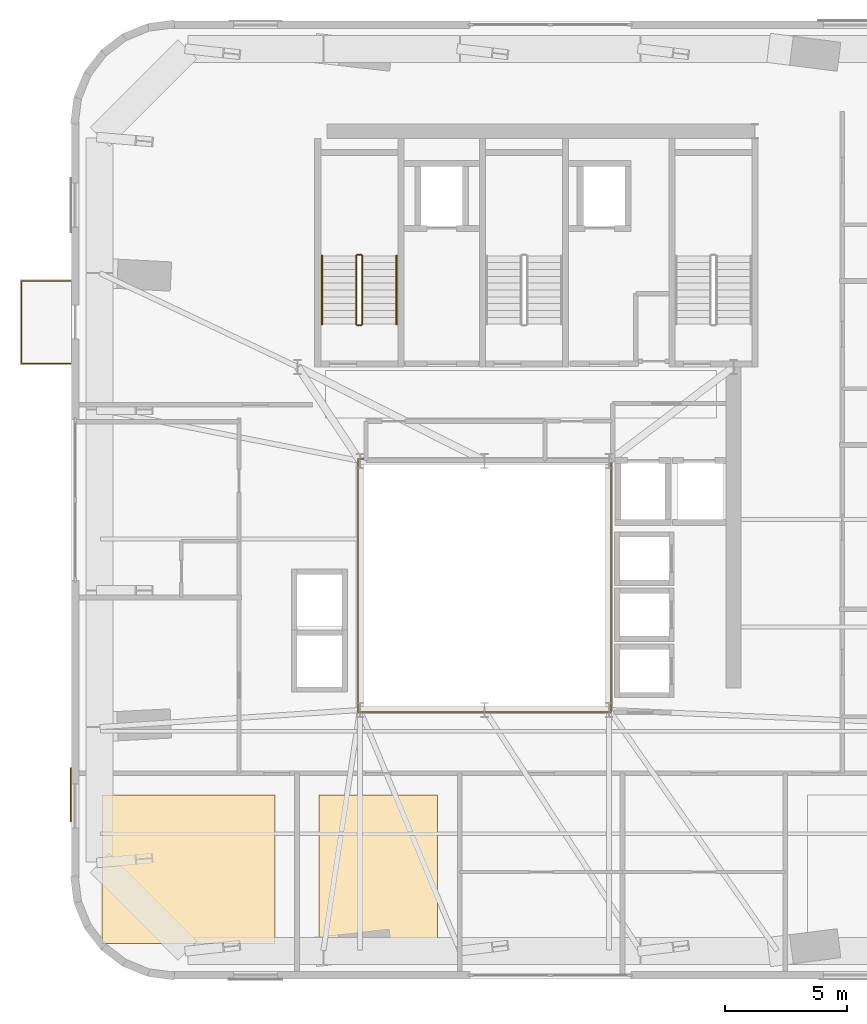
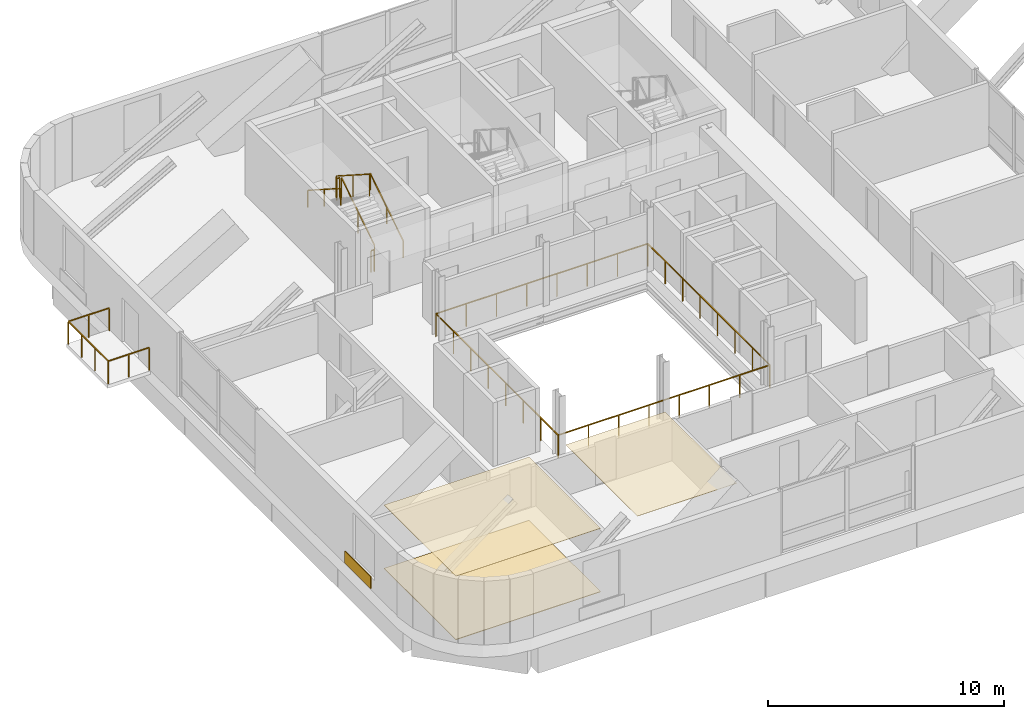
# One storey, part 10 of 12: 8 railings, 4 coverings.
"""IFC4 building model written with IfcOpenShell, lengths in metres."""

import ifcopenshell
import ifcopenshell.guid

model = None  # the IFC model being written
_history = None  # IfcOwnerHistory: only IFC2X3 demands one
_inside = {}  # id of a spatial element -> (the spatial element, [elements in it])
_under = {}  # id of a project, library or spatial element -> (it, [spatial elements below it])
_declared = {}  # id of a project -> (the project, [libraries it declares])
_typed = {}  # id of a type object -> (the type object, [elements of that type])
_made_of = {}  # id of a material, layer set ... -> (it, [elements and type objects made of it])


def new_model(schema):
    """Start an empty IFC model of exactly this schema.

    Asked for "IFC4X3", IfcOpenShell would pick the latest addendum, in which some entities
    have other attributes; the version numbers below select the first issue.
    IFC2X3 requires an IfcOwnerHistory on every rooted entity: one is made here for all.
    """
    global model, _history
    if schema == "IFC4X3":
        model = ifcopenshell.file(schema_version=(4, 3, 0, 0))
    else:
        model = ifcopenshell.file(schema=schema)
    _inside.clear()
    _under.clear()
    _declared.clear()
    _typed.clear()
    _made_of.clear()
    _history = None
    if model.schema == "IFC2X3":
        org = make("IfcOrganization", Name="unknown")
        user = make(
            "IfcPersonAndOrganization",
            ThePerson=make("IfcPerson", FamilyName="unknown"),
            TheOrganization=org,
        )
        app = make(
            "IfcApplication",
            ApplicationDeveloper=org,
            Version="unknown",
            ApplicationFullName="unknown",
            ApplicationIdentifier="unknown",
        )
        _history = make(
            "IfcOwnerHistory",
            OwningUser=user,
            OwningApplication=app,
            ChangeAction="ADDED",
            CreationDate=0,
        )
    return model


def make(cls, **values):
    """One entity of the class cls with the attributes given. An attribute that is None is left unset."""
    return model.create_entity(
        cls, **{name: value for name, value in values.items() if value is not None}
    )


def rooted(cls, **values):
    """An entity with a GlobalId (a new one), such as an element, a storey or a relation."""
    return make(cls, GlobalId=ifcopenshell.guid.new(), OwnerHistory=_history, **values)


def si_unit(unit_type, name, prefix=None):
    """IfcSIUnit, for example si_unit("LENGTHUNIT", "METRE", prefix="MILLI")."""
    return make("IfcSIUnit", UnitType=unit_type, Prefix=prefix, Name=name)


def assignment(units):
    """IfcUnitAssignment: the units of a project."""
    return None if units is None else make("IfcUnitAssignment", Units=units)


def point(xyz):
    """IfcCartesianPoint."""
    return None if xyz is None else make("IfcCartesianPoint", Coordinates=xyz)


def direction(xyz):
    """IfcDirection."""
    return None if xyz is None else make("IfcDirection", DirectionRatios=xyz)


def frame(location, z_axis=None, x_axis=None):
    """IfcAxis2Placement3D, a coordinate frame: its origin and axes. An axis left out is left unset."""
    return make(
        "IfcAxis2Placement3D",
        Location=point(location),
        Axis=direction(z_axis),
        RefDirection=direction(x_axis),
    )


def frame_2d(location, x_axis=None):
    """IfcAxis2Placement2D, a coordinate frame in the plane: its origin and x axis."""
    return make(
        "IfcAxis2Placement2D", Location=point(location), RefDirection=direction(x_axis)
    )


def origin():
    """The frame at (0, 0, 0) with its axes left unset."""
    return frame((0.0, 0.0, 0.0))


def origin_2d():
    """The frame at (0, 0) in the plane with its x axis left unset."""
    return frame_2d((0.0, 0.0))


def place(relative_to, where):
    """IfcLocalPlacement: puts the frame where relative to a parent placement (None: the world)."""
    return make(
        "IfcLocalPlacement", PlacementRelTo=relative_to, RelativePlacement=where
    )


def context(
    kind, dimensions, precision=None, world=None, true_north=None, identifier=None
):
    """IfcGeometricRepresentationContext, for example the 3D "Model" context."""
    return make(
        "IfcGeometricRepresentationContext",
        ContextIdentifier=identifier,
        ContextType=kind,
        CoordinateSpaceDimension=dimensions,
        Precision=precision,
        WorldCoordinateSystem=world,
        TrueNorth=true_north,
    )


def subcontext(parent, identifier, kind, view, scale=None):
    """IfcGeometricRepresentationSubContext, for example "Body" below "Model"."""
    return make(
        "IfcGeometricRepresentationSubContext",
        ContextIdentifier=identifier,
        ContextType=kind,
        ParentContext=parent,
        TargetScale=scale,
        TargetView=view,
    )


def project(units=None, contexts=None):
    """IfcProject with its units and contexts."""
    return rooted(
        "IfcProject",
        Name="project",
        RepresentationContexts=contexts,
        UnitsInContext=assignment(units),
    )


def spatial(cls, under=None, at=None, **own):
    """A site, building, storey or space (cls), placed at a placement, below another one or the project."""
    s = rooted(cls, ObjectPlacement=at, **own)
    if under is not None:
        _under.setdefault(under.id(), (under, []))[1].append(s)
    return s


def polyline(points):
    """IfcPolyline through the points."""
    return make("IfcPolyline", Points=[point(p) for p in points])


def profile(cls, at=None, kind="AREA", **sizes):
    """A parametric profile (cls). Its sizes go by their IFC names, for example OverallWidth=200.0."""
    return make(cls, ProfileType=kind, Position=at, **sizes)


def rectangle(**sizes):
    """IfcRectangleProfileDef."""
    return profile("IfcRectangleProfileDef", **sizes)


def outline(outer, holes=None, kind="AREA"):
    """IfcArbitraryClosedProfileDef: a profile drawn as a closed curve; with holes, ...WithVoids."""
    if holes is None:
        return make("IfcArbitraryClosedProfileDef", ProfileType=kind, OuterCurve=outer)
    return make(
        "IfcArbitraryProfileDefWithVoids",
        ProfileType=kind,
        OuterCurve=outer,
        InnerCurves=holes,
    )


def extrude(swept, where, along, depth):
    """IfcExtrudedAreaSolid: the profile swept, set in the frame where, extruded along a direction by depth."""
    return make(
        "IfcExtrudedAreaSolid",
        SweptArea=swept,
        Position=where,
        ExtrudedDirection=direction(along),
        Depth=depth,
    )


def shape(context_of_items, identifier, shape_type, items):
    """IfcShapeRepresentation: the items that make up one representation, for example the "Body"."""
    return make(
        "IfcShapeRepresentation",
        ContextOfItems=context_of_items,
        RepresentationIdentifier=identifier,
        RepresentationType=shape_type,
        Items=items,
    )


def source(mapping_origin, context_of_items, identifier, shape_type, items):
    """IfcRepresentationMap: a shape defined once, which mapped items show again and again."""
    return make(
        "IfcRepresentationMap",
        MappingOrigin=mapping_origin,
        MappedRepresentation=shape(context_of_items, identifier, shape_type, items),
    )


def transform(
    local_origin,
    x_axis=None,
    y_axis=None,
    z_axis=None,
    scale=None,
    scale2=None,
    scale3=None,
    uniform=True,
):
    """IfcCartesianTransformationOperator3D, or its non-uniform kind. x_axis, y_axis, z_axis: its Axis1, 2, 3."""
    if uniform:
        return make(
            "IfcCartesianTransformationOperator3D",
            Axis1=direction(x_axis),
            Axis2=direction(y_axis),
            LocalOrigin=point(local_origin),
            Scale=scale,
            Axis3=direction(z_axis),
        )
    return make(
        "IfcCartesianTransformationOperator3DnonUniform",
        Axis1=direction(x_axis),
        Axis2=direction(y_axis),
        LocalOrigin=point(local_origin),
        Scale=scale,
        Axis3=direction(z_axis),
        Scale2=scale2,
        Scale3=scale3,
    )


def mapped(mapping_source, mapping_target):
    """IfcMappedItem: shows the shape of a source again, moved by a transform."""
    return make(
        "IfcMappedItem", MappingSource=mapping_source, MappingTarget=mapping_target
    )


def material(Name=None, Category=None):
    """IfcMaterial."""
    return make("IfcMaterial", Name=Name, Category=Category)


def layer(
    of_material, thickness, ventilated=None, Name=None, Category=None, Priority=None
):
    """IfcMaterialLayer: one layer of a wall or slab, of a material (None: an air gap)."""
    return make(
        "IfcMaterialLayer",
        Material=of_material,
        LayerThickness=thickness,
        IsVentilated=ventilated,
        Name=Name,
        Category=Category,
        Priority=Priority,
    )


def layer_set(layers, Name=None):
    """IfcMaterialLayerSet."""
    return make("IfcMaterialLayerSet", MaterialLayers=layers, LayerSetName=Name)


def made_of(thing, what):
    """Note that an element or type object is made of a material, layer set ...; save() writes the relation."""
    if what is not None:
        _made_of.setdefault(what.id(), (what, []))[1].append(thing)
    return thing


def type_object(cls, material=None, **own):
    """A type object (cls), such as IfcWallType, which elements share."""
    return made_of(rooted(cls, **own), material)


def element(
    cls,
    number,
    at=None,
    inside=None,
    cuts=None,
    type_object=None,
    material=None,
    context=None,
    identifier="Body",
    shape_type=None,
    held_by="IfcProductDefinitionShape",
    body=None,
    shapes=None,
    **own,
):
    """One element of the class cls, such as IfcWall. Its Tag is "e" and its number.

    at: its placement. inside: the storey or other place that contains it. cuts: it is an
    opening in that element (IfcRelVoidsElement). A single representation is given by context,
    identifier, shape_type and body (its items); several are given by shapes. held_by: the class
    of the entity that holds the representations. save() writes the other relations.
    """
    e = rooted(cls, Tag="e%d" % number, ObjectPlacement=at, **own)
    if body is not None:
        shapes = [shape(context, identifier, shape_type, body)]
    if shapes is not None:
        e.Representation = make(held_by, Representations=shapes)
    if inside is not None:
        _inside.setdefault(inside.id(), (inside, []))[1].append(e)
    if cuts is not None:
        rooted(
            "IfcRelVoidsElement", RelatingBuildingElement=cuts, RelatedOpeningElement=e
        )
    if type_object is not None:
        _typed.setdefault(type_object.id(), (type_object, []))[1].append(e)
    return made_of(e, material)


def aggregate(whole, parts):
    """IfcRelAggregates: a whole, such as a stair, and the parts it consists of."""
    return rooted("IfcRelAggregates", RelatingObject=whole, RelatedObjects=parts)


def save(model, path):
    """Write the relations noted so far, then the file.

    IfcRelAggregates (storeys below a building ...), IfcRelContainedInSpatialStructure (elements
    in a storey), IfcRelDefinesByType, IfcRelAssociatesMaterial and IfcRelDeclares: one each for
    every whole, place, type object, material and project.
    """
    for whole, parts in _under.values():
        aggregate(whole, parts)
    for where, things in _inside.values():
        rooted(
            "IfcRelContainedInSpatialStructure",
            RelatedElements=things,
            RelatingStructure=where,
        )
    for kind, things in _typed.values():
        rooted("IfcRelDefinesByType", RelatedObjects=things, RelatingType=kind)
    for what, things in _made_of.values():
        rooted("IfcRelAssociatesMaterial", RelatedObjects=things, RelatingMaterial=what)
    for by, libraries in _declared.values():
        rooted("IfcRelDeclares", RelatingContext=by, RelatedDefinitions=libraries)
    model.write(path)


model = new_model("IFC4")

# Units and contexts
model_context = context("Model", 3, precision=1e-05, world=origin(), true_north=direction((0.0, 1.0)))
body_context = subcontext(model_context, "Body", "Model", "MODEL_VIEW")
ifc_project = project(units=[si_unit("LENGTHUNIT", "METRE"), si_unit("AREAUNIT", "SQUARE_METRE"), si_unit("VOLUMEUNIT", "CUBIC_METRE"), si_unit("PLANEANGLEUNIT", "RADIAN"), si_unit("MASSUNIT", "GRAM", prefix="KILO")], contexts=[model_context])

# Site, building, storey
site_placement = place(None, origin())
site = spatial("IfcSite", under=ifc_project, at=site_placement, CompositionType="ELEMENT")
building_placement = place(site_placement, origin())
building = spatial("IfcBuilding", under=site, at=building_placement, Name="Vardaveli Station Tower", CompositionType="ELEMENT")
storey_placement = place(building_placement, frame((0.0, 0.0, 282.199951171875)))
storey = spatial("IfcBuildingStorey", under=building, at=storey_placement, Name="L72", CompositionType="ELEMENT", Elevation=282.199951171875)

# Coverings
ifc_material_1 = material(Name="Perforated acoustic mineral ceiling")
ifc_layer_1 = layer(ifc_material_1, 0.02001953125, Name="Perforated acoustic mineral ceiling")
ifc_layer_set_1 = layer_set([ifc_layer_1], Name="Perforated acoustic mineral ceiling")
covering_type_1 = type_object("IfcCoveringType", Name="COV-CEIL-AC20", PredefinedType="CEILING", material=ifc_layer_set_1)
covering_1_placement = place(storey_placement, frame((0.0, 0.0, 3.28515625)))
element("IfcCovering", 1, at=covering_1_placement, inside=storey, type_object=covering_type_1, Name="CEIL-L72-1", PredefinedType="CEILING", context=body_context, shape_type="SweptSolid", body=[
    extrude(outline(polyline([(20.6298828125, 7.030029296875), (27.719970703125, 7.030029296875), (27.719970703125, 13.110107421875), (20.6298828125, 13.110107421875), (20.6298828125, 7.030029296875)])), origin(), (0.0, 0.0, 1.0), 0.019775390625),
])
covering_2_placement = place(storey_placement, frame((0.0, 0.0, 3.28515625)))
element("IfcCovering", 2, at=covering_2_placement, inside=storey, type_object=covering_type_1, Name="CEIL-L72-2", PredefinedType="CEILING", context=body_context, shape_type="SweptSolid", body=[
    extrude(outline(polyline([(29.52001953125, 7.030029296875), (34.38671875, 7.030029296875), (34.38671875, 13.110107421875), (29.52001953125, 13.110107421875), (29.52001953125, 7.030029296875)])), origin(), (0.0, 0.0, 1.0), 0.019775390625),
])
ifc_material_2 = material(Name="Honed Caucasian basalt and travertine flooring", Category="masonry")
ifc_layer_2 = layer(ifc_material_2, 0.030029296875, Name="Honed Caucasian basalt and travertine flooring")
ifc_layer_set_2 = layer_set([ifc_layer_2], Name="Honed Caucasian basalt and travertine flooring")
covering_type_2 = type_object("IfcCoveringType", Name="COV-FLOOR-ST30", PredefinedType="FLOORING", material=ifc_layer_set_2)
covering_3_placement = place(storey_placement, origin())
element("IfcCovering", 3, at=covering_3_placement, inside=storey, type_object=covering_type_2, Name="FLR-L72-1", PredefinedType="FLOORING", context=body_context, shape_type="SweptSolid", body=[
    extrude(outline(polyline([(20.6298828125, 7.030029296875), (27.719970703125, 7.030029296875), (27.719970703125, 13.110107421875), (20.6298828125, 13.110107421875), (20.6298828125, 7.030029296875)])), origin(), (0.0, 0.0, 1.0), 0.030029296875),
])
ifc_material_3 = material(Name="Ventilated honed travertine stone cladding", Category="masonry")
ifc_layer_3 = layer(ifc_material_3, 0.044921875, Name="Ventilated honed travertine stone cladding")
ifc_layer_set_3 = layer_set([ifc_layer_3], Name="Ventilated honed travertine stone cladding")
covering_type_3 = type_object("IfcCoveringType", Name="COV-CLAD-TR45", PredefinedType="CLADDING", material=ifc_layer_set_3)
shared_shape_1 = source(origin(), body_context, "Body", "SweptSolid", [
    extrude(rectangle(XDim=2.199951171875, YDim=0.044921875, at=origin_2d()), origin(), (0.0, 0.0, 1.0), 0.6201171875),
])
covering_4_placement = place(storey_placement, frame((19.365478515625, 13.125, 0.070068359375), z_axis=(0.0, 0.0, 1.0), x_axis=(0.0, 1.0, 0.0)))
element("IfcCovering", 4, at=covering_4_placement, inside=storey, type_object=covering_type_3, Name="CLD-TR-L72-W", PredefinedType="CLADDING", context=body_context, shape_type="MappedRepresentation", body=[
    mapped(shared_shape_1, transform((0.0, 0.0, 0.0), scale=1.0)),
])

# Railings
ifc_material_4 = material(Name="Laminated glass and stainless steel balustrade", Category="steel")
railing_type_1 = type_object("IfcRailingType", Name="RL-BAL-1200", PredefinedType="BALUSTRADE", material=ifc_material_4)
shared_shape_2 = source(origin(), body_context, "Body", "SweptSolid", [
    extrude(rectangle(XDim=0.048095703125, YDim=0.048095703125, at=origin_2d()), frame((0.0, 0.0, 1.17578125), z_axis=(-1.0, 0.0, 0.0), x_axis=(0.0, -1.0, 0.0)), (0.0, 0.0, 1.0), 2.0),
    extrude(rectangle(XDim=0.048095703125, YDim=0.048095703125, at=origin_2d()), frame((-2.0, 0.0, 1.17578125), z_axis=(0.0, 1.0, 0.0), x_axis=(-1.0, 0.0, 0.0)), (0.0, 0.0, 1.0), 3.380126953125),
    extrude(rectangle(XDim=0.048095703125, YDim=0.048095703125, at=origin_2d()), frame((-2.0, 3.380126953125, 1.17578125), z_axis=(1.0, 0.0, 0.0), x_axis=(0.0, 1.0, 0.0)), (0.0, 0.0, 1.0), 2.0),
    extrude(rectangle(XDim=0.0419921875, YDim=0.0419921875, at=origin_2d()), origin(), (0.0, 0.0, 1.0), 1.15185546875),
    extrude(rectangle(XDim=0.0419921875, YDim=0.0419921875, at=origin_2d()), frame((-1.0, 0.0, 0.0)), (0.0, 0.0, 1.0), 1.15185546875),
    extrude(rectangle(XDim=0.0419921875, YDim=0.0419921875, at=origin_2d()), frame((-2.0, 0.0, 0.0)), (0.0, 0.0, 1.0), 1.15185546875),
    extrude(rectangle(XDim=0.0419921875, YDim=0.0419921875, at=origin_2d()), frame((-2.0, 1.126708984375, 0.0)), (0.0, 0.0, 1.0), 1.15185546875),
    extrude(rectangle(XDim=0.0419921875, YDim=0.0419921875, at=origin_2d()), frame((-2.0, 2.25341796875, 0.0)), (0.0, 0.0, 1.0), 1.15185546875),
    extrude(rectangle(XDim=0.0419921875, YDim=0.0419921875, at=origin_2d()), frame((-2.0, 3.380126953125, 0.0)), (0.0, 0.0, 1.0), 1.15185546875),
    extrude(rectangle(XDim=0.0419921875, YDim=0.0419921875, at=origin_2d()), frame((-1.0, 3.380126953125, 0.0)), (0.0, 0.0, 1.0), 1.15185546875),
    extrude(rectangle(XDim=0.0419921875, YDim=0.0419921875, at=origin_2d()), frame((0.0, 3.380126953125, 0.0)), (0.0, 0.0, 1.0), 1.15185546875),
])
railing_1_placement = place(storey_placement, frame((19.340087890625, 30.7939453125, 0.0)))
element("IfcRailing", 5, at=railing_1_placement, inside=storey, type_object=railing_type_1, Name="RL-LOG-L72-01", PredefinedType="BALUSTRADE", context=body_context, shape_type="MappedRepresentation", body=[
    mapped(shared_shape_2, transform((0.0, 0.0, 0.0), scale=1.0)),
])
ifc_material_5 = material(Name="Brushed AISI 316 stainless steel", Category="steel")
railing_type_2 = type_object("IfcRailingType", Name="RL-GUARD-1150", PredefinedType="GUARDRAIL", material=ifc_material_5)
shared_shape_3 = source(origin(), body_context, "Body", "SweptSolid", [
    extrude(rectangle(XDim=0.048095703125, YDim=0.048095703125, at=origin_2d()), frame((0.0, 0.0, 1.1259765625), z_axis=(-1.0, 0.0, 0.0), x_axis=(0.0, -1.0, 0.0)), (0.0, 0.0, 1.0), 0.14990234375),
    extrude(rectangle(XDim=0.0419921875, YDim=0.0419921875, at=origin_2d()), origin(), (0.0, 0.0, 1.0), 1.101806640625),
    extrude(rectangle(XDim=0.0419921875, YDim=0.0419921875, at=origin_2d()), frame((-0.14990234375, 0.0, 0.0)), (0.0, 0.0, 1.0), 1.101806640625),
])
for number, where, name in (
    (6, (31.25, 35.25, 1.97509765625), "L72 ST-1 stair guard 2"),
    (7, (31.25, 32.35009765625, 0.0), "L72 ST-1 stair guard 4"),
):
    element("IfcRailing", number, at=place(storey_placement, frame(where)), inside=storey, type_object=railing_type_2, Name=name, PredefinedType="GUARDRAIL", context=body_context, shape_type="MappedRepresentation", body=[
        mapped(shared_shape_3, transform((0.0, 0.0, 0.0), scale=1.0)),
    ])
shared_shape_4 = source(origin(), body_context, "Body", "SweptSolid", [
    extrude(rectangle(XDim=0.048095703125, YDim=0.048095703125, at=origin_2d()), frame((0.0, 0.0, 1.1259765625), z_axis=(0.0, 0.841809871826, 0.539774156196), x_axis=(-1.0, 0.0, 0.0)), (0.0, 0.0, 1.0), 3.326171875),
    extrude(rectangle(XDim=0.0419921875, YDim=0.0419921875, at=origin_2d()), origin(), (0.0, 0.0, 1.0), 1.101806640625),
    extrude(rectangle(XDim=0.0419921875, YDim=0.0419921875, at=origin_2d()), frame((0.0, 1.39990234375, 0.897705078125)), (0.0, 0.0, 1.0), 1.101806640625),
    extrude(rectangle(XDim=0.0419921875, YDim=0.0419921875, at=origin_2d()), frame((0.0, 2.800048828125, 1.79541015625)), (0.0, 0.0, 1.0), 1.101806640625),
])
railing_2_placement = place(storey_placement, frame((31.300048828125, 32.39990234375, 0.1796875)))
element("IfcRailing", 8, at=railing_2_placement, inside=storey, type_object=railing_type_2, Name="L72 ST-1 stair guard 1", PredefinedType="GUARDRAIL", context=body_context, shape_type="MappedRepresentation", body=[
    mapped(shared_shape_4, transform((0.0, 0.0, 0.0), scale=1.0)),
])
shared_shape_5 = source(origin(), body_context, "Body", "SweptSolid", [
    extrude(rectangle(XDim=0.048095703125, YDim=0.048095703125, at=origin_2d()), frame((0.0, 0.0, 1.1259765625), z_axis=(0.0, -0.841809871826, 0.539774156196), x_axis=(1.0, 0.0, 0.0)), (0.0, 0.0, 1.0), 3.326171875),
    extrude(rectangle(XDim=0.0419921875, YDim=0.0419921875, at=origin_2d()), origin(), (0.0, 0.0, 1.0), 1.101806640625),
    extrude(rectangle(XDim=0.0419921875, YDim=0.0419921875, at=origin_2d()), frame((0.0, -1.39990234375, 0.897705078125)), (0.0, 0.0, 1.0), 1.101806640625),
    extrude(rectangle(XDim=0.0419921875, YDim=0.0419921875, at=origin_2d()), frame((0.0, -2.800048828125, 1.79541015625)), (0.0, 0.0, 1.0), 1.101806640625),
])
railing_3_placement = place(storey_placement, frame((31.050048828125, 35.199951171875, 2.154541015625)))
element("IfcRailing", 9, at=railing_3_placement, inside=storey, type_object=railing_type_2, Name="L72 ST-1 stair guard 3", PredefinedType="GUARDRAIL", context=body_context, shape_type="MappedRepresentation", body=[
    mapped(shared_shape_5, transform((0.0, 0.0, 0.0), scale=1.0)),
])
railing_type_3 = type_object("IfcRailingType", Name="RL-HAND-900", PredefinedType="HANDRAIL", material=ifc_material_5)
shared_shape_6 = source(origin(), body_context, "Body", "SweptSolid", [
    extrude(rectangle(XDim=0.048095703125, YDim=0.048095703125, at=origin_2d()), frame((0.0, 0.0, 0.8759765625), z_axis=(0.0, 0.841809871826, 0.539774156196), x_axis=(-1.0, 0.0, 0.0)), (0.0, 0.0, 1.0), 3.326171875),
    extrude(rectangle(XDim=0.0419921875, YDim=0.0419921875, at=origin_2d()), origin(), (0.0, 0.0, 1.0), 0.851806640625),
    extrude(rectangle(XDim=0.0419921875, YDim=0.0419921875, at=origin_2d()), frame((0.0, 1.39990234375, 0.897705078125)), (0.0, 0.0, 1.0), 0.851806640625),
    extrude(rectangle(XDim=0.0419921875, YDim=0.0419921875, at=origin_2d()), frame((0.0, 2.800048828125, 1.79541015625)), (0.0, 0.0, 1.0), 0.851806640625),
])
railing_4_placement = place(storey_placement, frame((32.699951171875, 32.39990234375, 0.1796875)))
element("IfcRailing", 10, at=railing_4_placement, inside=storey, type_object=railing_type_3, Name="L72 ST-1 stair handrail 1", PredefinedType="HANDRAIL", context=body_context, shape_type="MappedRepresentation", body=[
    mapped(shared_shape_6, transform((0.0, 0.0, 0.0), scale=1.0)),
])
shared_shape_7 = source(origin(), body_context, "Body", "SweptSolid", [
    extrude(rectangle(XDim=0.048095703125, YDim=0.048095703125, at=origin_2d()), frame((0.0, 0.0, 0.8759765625), z_axis=(0.0, -0.841809871826, 0.539774156196), x_axis=(1.0, 0.0, 0.0)), (0.0, 0.0, 1.0), 3.326171875),
    extrude(rectangle(XDim=0.0419921875, YDim=0.0419921875, at=origin_2d()), origin(), (0.0, 0.0, 1.0), 0.851806640625),
    extrude(rectangle(XDim=0.0419921875, YDim=0.0419921875, at=origin_2d()), frame((0.0, -1.39990234375, 0.897705078125)), (0.0, 0.0, 1.0), 0.851806640625),
    extrude(rectangle(XDim=0.0419921875, YDim=0.0419921875, at=origin_2d()), frame((0.0, -2.800048828125, 1.79541015625)), (0.0, 0.0, 1.0), 0.851806640625),
])
railing_5_placement = place(storey_placement, frame((29.64990234375, 35.199951171875, 2.154541015625)))
element("IfcRailing", 11, at=railing_5_placement, inside=storey, type_object=railing_type_3, Name="L72 ST-1 stair handrail 2", PredefinedType="HANDRAIL", context=body_context, shape_type="MappedRepresentation", body=[
    mapped(shared_shape_7, transform((0.0, 0.0, 0.0), scale=1.0)),
])
shared_shape_8 = source(origin(), body_context, "Body", "SweptSolid", [
    extrude(rectangle(XDim=0.048095703125, YDim=0.048095703125, at=origin_2d()), frame((0.0, 0.0, 1.17578125), z_axis=(1.0, 0.0, 0.0), x_axis=(0.0, 1.0, 0.0)), (0.0, 0.0, 1.0), 10.35986328125),
    extrude(rectangle(XDim=0.048095703125, YDim=0.048095703125, at=origin_2d()), frame((10.35986328125, 0.0, 1.17578125), z_axis=(0.0, 1.0, 0.0), x_axis=(-1.0, 0.0, 0.0)), (0.0, 0.0, 1.0), 10.35986328125),
    extrude(rectangle(XDim=0.048095703125, YDim=0.048095703125, at=origin_2d()), frame((10.35986328125, 10.35986328125, 1.17578125), z_axis=(-1.0, 0.0, 0.0), x_axis=(0.0, -1.0, 0.0)), (0.0, 0.0, 1.0), 10.35986328125),
    extrude(rectangle(XDim=0.048095703125, YDim=0.048095703125, at=origin_2d()), frame((0.0, 10.35986328125, 1.17578125), z_axis=(0.0, -1.0, 0.0), x_axis=(1.0, 0.0, 0.0)), (0.0, 0.0, 1.0), 10.35986328125),
    extrude(rectangle(XDim=0.0419921875, YDim=0.0419921875, at=origin_2d()), origin(), (0.0, 0.0, 1.0), 1.15185546875),
    extrude(rectangle(XDim=0.0419921875, YDim=0.0419921875, at=origin_2d()), frame((1.47998046875, 0.0, 0.0)), (0.0, 0.0, 1.0), 1.15185546875),
    extrude(rectangle(XDim=0.0419921875, YDim=0.0419921875, at=origin_2d()), frame((2.9599609375, 0.0, 0.0)), (0.0, 0.0, 1.0), 1.15185546875),
    extrude(rectangle(XDim=0.0419921875, YDim=0.0419921875, at=origin_2d()), frame((4.43994140625, 0.0, 0.0)), (0.0, 0.0, 1.0), 1.15185546875),
    extrude(rectangle(XDim=0.0419921875, YDim=0.0419921875, at=origin_2d()), frame((5.919921875, 0.0, 0.0)), (0.0, 0.0, 1.0), 1.15185546875),
    extrude(rectangle(XDim=0.0419921875, YDim=0.0419921875, at=origin_2d()), frame((7.39990234375, 0.0, 0.0)), (0.0, 0.0, 1.0), 1.15185546875),
    extrude(rectangle(XDim=0.0419921875, YDim=0.0419921875, at=origin_2d()), frame((8.8798828125, 0.0, 0.0)), (0.0, 0.0, 1.0), 1.15185546875),
    extrude(rectangle(XDim=0.0419921875, YDim=0.0419921875, at=origin_2d()), frame((10.35986328125, 0.0, 0.0)), (0.0, 0.0, 1.0), 1.15185546875),
    extrude(rectangle(XDim=0.0419921875, YDim=0.0419921875, at=origin_2d()), frame((10.35986328125, 1.47998046875, 0.0)), (0.0, 0.0, 1.0), 1.15185546875),
    extrude(rectangle(XDim=0.0419921875, YDim=0.0419921875, at=origin_2d()), frame((10.35986328125, 2.9599609375, 0.0)), (0.0, 0.0, 1.0), 1.15185546875),
    extrude(rectangle(XDim=0.0419921875, YDim=0.0419921875, at=origin_2d()), frame((10.35986328125, 4.43994140625, 0.0)), (0.0, 0.0, 1.0), 1.15185546875),
    extrude(rectangle(XDim=0.0419921875, YDim=0.0419921875, at=origin_2d()), frame((10.35986328125, 5.919921875, 0.0)), (0.0, 0.0, 1.0), 1.15185546875),
    extrude(rectangle(XDim=0.0419921875, YDim=0.0419921875, at=origin_2d()), frame((10.35986328125, 7.39990234375, 0.0)), (0.0, 0.0, 1.0), 1.15185546875),
    extrude(rectangle(XDim=0.0419921875, YDim=0.0419921875, at=origin_2d()), frame((10.35986328125, 8.8798828125, 0.0)), (0.0, 0.0, 1.0), 1.15185546875),
    extrude(rectangle(XDim=0.0419921875, YDim=0.0419921875, at=origin_2d()), frame((10.35986328125, 10.35986328125, 0.0)), (0.0, 0.0, 1.0), 1.15185546875),
    extrude(rectangle(XDim=0.0419921875, YDim=0.0419921875, at=origin_2d()), frame((8.8798828125, 10.35986328125, 0.0)), (0.0, 0.0, 1.0), 1.15185546875),
    extrude(rectangle(XDim=0.0419921875, YDim=0.0419921875, at=origin_2d()), frame((7.39990234375, 10.35986328125, 0.0)), (0.0, 0.0, 1.0), 1.15185546875),
    extrude(rectangle(XDim=0.0419921875, YDim=0.0419921875, at=origin_2d()), frame((5.919921875, 10.35986328125, 0.0)), (0.0, 0.0, 1.0), 1.15185546875),
    extrude(rectangle(XDim=0.0419921875, YDim=0.0419921875, at=origin_2d()), frame((4.43994140625, 10.35986328125, 0.0)), (0.0, 0.0, 1.0), 1.15185546875),
    extrude(rectangle(XDim=0.0419921875, YDim=0.0419921875, at=origin_2d()), frame((2.9599609375, 10.35986328125, 0.0)), (0.0, 0.0, 1.0), 1.15185546875),
    extrude(rectangle(XDim=0.0419921875, YDim=0.0419921875, at=origin_2d()), frame((1.47998046875, 10.35986328125, 0.0)), (0.0, 0.0, 1.0), 1.15185546875),
    extrude(rectangle(XDim=0.0419921875, YDim=0.0419921875, at=origin_2d()), frame((0.0, 10.35986328125, 0.0)), (0.0, 0.0, 1.0), 1.15185546875),
    extrude(rectangle(XDim=0.0419921875, YDim=0.0419921875, at=origin_2d()), frame((0.0, 8.8798828125, 0.0)), (0.0, 0.0, 1.0), 1.15185546875),
    extrude(rectangle(XDim=0.0419921875, YDim=0.0419921875, at=origin_2d()), frame((0.0, 7.39990234375, 0.0)), (0.0, 0.0, 1.0), 1.15185546875),
    extrude(rectangle(XDim=0.0419921875, YDim=0.0419921875, at=origin_2d()), frame((0.0, 5.919921875, 0.0)), (0.0, 0.0, 1.0), 1.15185546875),
    extrude(rectangle(XDim=0.0419921875, YDim=0.0419921875, at=origin_2d()), frame((0.0, 4.43994140625, 0.0)), (0.0, 0.0, 1.0), 1.15185546875),
    extrude(rectangle(XDim=0.0419921875, YDim=0.0419921875, at=origin_2d()), frame((0.0, 2.9599609375, 0.0)), (0.0, 0.0, 1.0), 1.15185546875),
    extrude(rectangle(XDim=0.0419921875, YDim=0.0419921875, at=origin_2d()), frame((0.0, 1.47998046875, 0.0)), (0.0, 0.0, 1.0), 1.15185546875),
])
railing_6_placement = place(storey_placement, frame((31.1201171875, 16.52001953125, 0.0)))
element("IfcRailing", 12, at=railing_6_placement, inside=storey, type_object=railing_type_1, Name="RL-ATR-L72", PredefinedType="BALUSTRADE", context=body_context, shape_type="MappedRepresentation", body=[
    mapped(shared_shape_8, transform((0.0, 0.0, 0.0), scale=1.0)),
])

save(model, "model.ifc")
